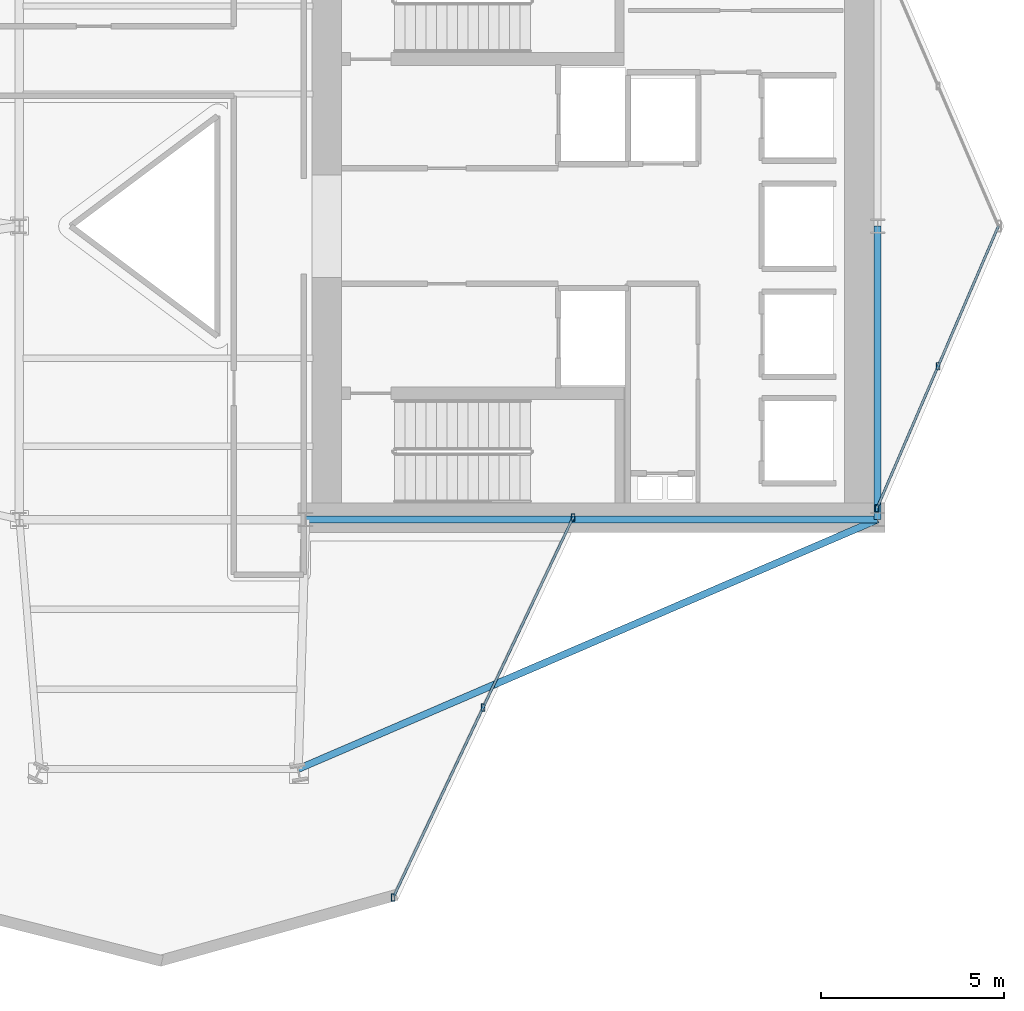
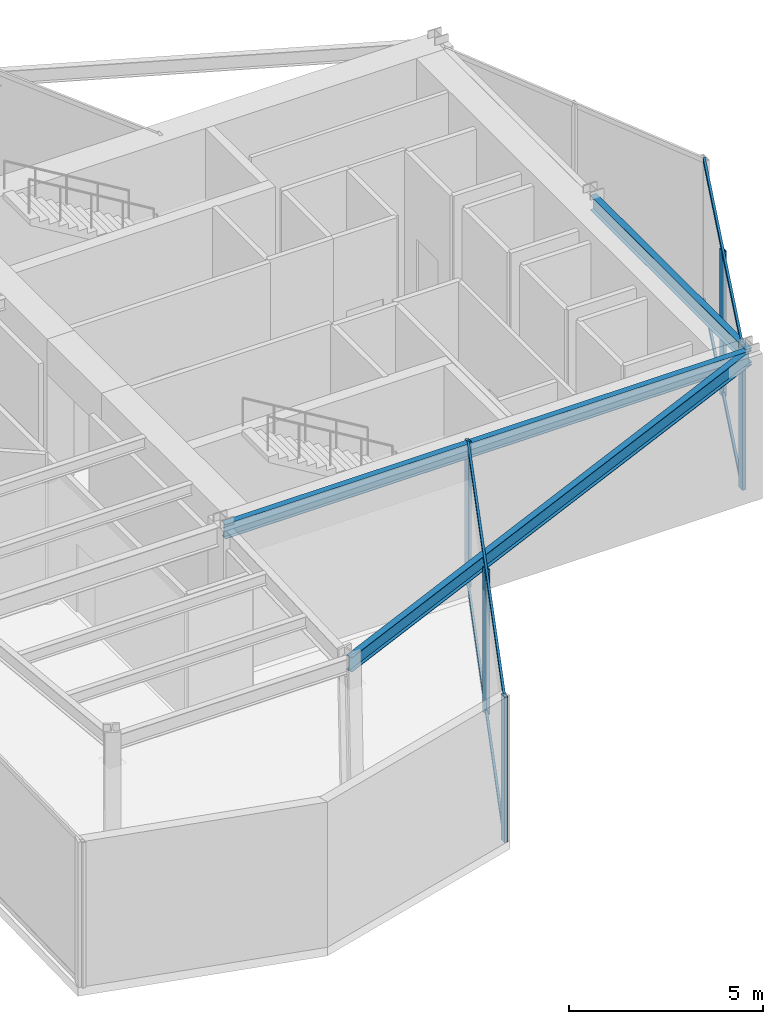
# One storey, part 6 of 13: 9 members, 3 beams, 2 elements without a shape of their own.
"""IFC4 building model written with IfcOpenShell, lengths in metres."""

from ifc_helpers import new_model, si_unit, direction, frame, origin, origin_2d, place, context, subcontext, project, spatial, hollow_rectangle, i_section, extrude, material, layer, layer_set, material_profile, profile_set, type_object, element, aggregate, save


model = new_model("IFC4")

# Units and contexts
model_context = context("Model", 3, precision=1e-05, world=origin(), true_north=direction((0.0, 1.0)))
body_context = subcontext(model_context, "Body", "Model", "MODEL_VIEW")
ifc_project = project(units=[si_unit("LENGTHUNIT", "METRE"), si_unit("AREAUNIT", "SQUARE_METRE"), si_unit("VOLUMEUNIT", "CUBIC_METRE"), si_unit("PLANEANGLEUNIT", "RADIAN"), si_unit("MASSUNIT", "GRAM", prefix="KILO")], contexts=[model_context])

# Site, building, storey
site_placement = place(None, origin())
site = spatial("IfcSite", under=ifc_project, at=site_placement, CompositionType="ELEMENT")
building_placement = place(site_placement, origin())
building = spatial("IfcBuilding", under=site, at=building_placement, Name="Veymaron Broadcast Tower", CompositionType="ELEMENT")
storey_placement = place(building_placement, frame((0.0, 0.0, 112.050048828125)))
storey = spatial("IfcBuildingStorey", under=building, at=storey_placement, Name="L25", CompositionType="ELEMENT", Elevation=112.050048828125)

# Beams
ifc_material_1 = material(Name="Structural steel ASTM A992 Gr 50", Category="steel")
ifc_material_profile_1 = material_profile(ifc_material_1, i_section(OverallWidth=0.19091796875, OverallDepth=0.4599609375, WebThickness=0.010009765625, FlangeThickness=0.01611328125, at=origin_2d()), Name="W460X82")
ifc_profile_set_1 = profile_set([ifc_material_profile_1], Name="Structural steel ASTM A992 Gr 50")
beam_type = type_object("IfcBeamType", Name="BM-SP1", PredefinedType="SPANDREL", material=ifc_profile_set_1)
beam_1_placement = place(storey_placement, frame((39.0, 16.0, 4.329833984375), z_axis=(1.0, 0.0, 0.0), x_axis=(0.0, 1.0, 0.0)))
element("IfcBeam", 1, at=beam_1_placement, inside=storey, type_object=beam_type, Name="L25 primary structural floor girder", PredefinedType="SPANDREL", context=body_context, shape_type="SweptSolid", body=[
    extrude(i_section(OverallWidth=0.19091796875, OverallDepth=0.4599609375, WebThickness=0.010009765625, FlangeThickness=0.01611328125, at=origin_2d()), origin(), (0.0, 0.0, 1.0), 15.60009765625),
])
beam_2_placement = place(storey_placement, frame((54.60009765625, 16.0, 4.329833984375), z_axis=(0.0, 1.0, 0.0), x_axis=(-1.0, 0.0, 0.0)))
element("IfcBeam", 2, at=beam_2_placement, inside=storey, type_object=beam_type, Name="L25 primary structural floor girder", PredefinedType="SPANDREL", context=body_context, shape_type="SweptSolid", body=[
    extrude(i_section(OverallWidth=0.19091796875, OverallDepth=0.4599609375, WebThickness=0.010009765625, FlangeThickness=0.01611328125, at=origin_2d()), origin(), (0.0, 0.0, 1.0), 8.0),
])
beam_3_placement = place(storey_placement, frame((54.60009765625, 16.0, 4.329833984375), z_axis=(-0.918541968862, -0.395323476964, 0.0), x_axis=(0.395323476964, -0.918541968862, 0.0)))
element("IfcBeam", 3, at=beam_3_placement, inside=storey, type_object=beam_type, Name="L25 primary structural floor girder", PredefinedType="SPANDREL", context=body_context, shape_type="SweptSolid", body=[
    extrude(i_section(OverallWidth=0.19091796875, OverallDepth=0.4599609375, WebThickness=0.010009765625, FlangeThickness=0.01611328125, at=origin_2d()), origin(), (0.0, 0.0, 1.0), 17.201171875),
])

# Curtain wall, members
ifc_material_2 = material(Name="Anodised aluminium AA 6063-T6 and laminated low-E dark glass", Category="aluminium")
ifc_layer = layer(ifc_material_2, 0.179931640625)
ifc_layer_set = layer_set([ifc_layer], Name="Anodised aluminium AA 6063-T6 and laminated low-E dark glass")
curtain_wall_type = type_object("IfcCurtainWallType", Name="CW-SYS-04", PredefinedType="NOTDEFINED", material=ifc_layer_set)
curtain_wall_1_placement = place(storey_placement, origin())
curtain_wall_1 = element("IfcCurtainWall", 4, at=curtain_wall_1_placement, inside=storey, type_object=curtain_wall_type, Name="L25 dark-glass curtain wall CW-L25-E2-1", PredefinedType="NOTDEFINED")
ifc_material_3 = material(Name="Anodised aluminium AA 6063-T6", Category="aluminium")
ifc_material_profile_2 = material_profile(ifc_material_3, hollow_rectangle(XDim=0.10009765625, YDim=0.199951171875, WallThickness=0.010009765625, at=origin_2d()), Name="RHS200X100X10")
ifc_profile_set_2 = profile_set([ifc_material_profile_2], Name="Anodised aluminium AA 6063-T6")
member_type_1 = type_object("IfcMemberType", Name="CW-MUL-01", PredefinedType="MULLION", material=ifc_profile_set_2)
member_1_placement = place(storey_placement, frame((54.579833984375, 16.307373046875, 0.0), z_axis=(0.0, 0.0, 1.0), x_axis=(1.0, 0.0, 0.0)))
member_1 = element("IfcMember", 5, at=member_1_placement, type_object=member_type_1, Name="CW-L25-E2-1 mullion 0", PredefinedType="MULLION", context=body_context, shape_type="SweptSolid", body=[
    extrude(hollow_rectangle(XDim=0.10009765625, YDim=0.199951171875, WallThickness=0.010009765625, at=origin_2d()), origin(), (0.0, 0.0, 1.0), 4.56005859375),
])
member_2_placement = place(storey_placement, frame((56.247802734375, 20.181396484375, 0.0), z_axis=(0.0, 0.0, 1.0), x_axis=(1.0, 0.0, 0.0)))
member_2 = element("IfcMember", 6, at=member_2_placement, type_object=member_type_1, Name="CW-L25-E2-1 mullion 1", PredefinedType="MULLION", context=body_context, shape_type="SweptSolid", body=[
    extrude(hollow_rectangle(XDim=0.10009765625, YDim=0.199951171875, WallThickness=0.010009765625, at=origin_2d()), origin(), (0.0, 0.0, 1.0), 4.56005859375),
])

curtain_wall_2_placement = place(storey_placement, origin())
curtain_wall_2 = element("IfcCurtainWall", 7, at=curtain_wall_2_placement, inside=storey, type_object=curtain_wall_type, Name="L25 dark-glass curtain wall CW-L25-E20-1", PredefinedType="NOTDEFINED")
member_3_placement = place(storey_placement, frame((41.389404296875, 5.69189453125, 0.0), z_axis=(0.0, 0.0, 1.0), x_axis=(1.0, 0.0, 0.0)))
member_3 = element("IfcMember", 8, at=member_3_placement, type_object=member_type_1, Name="CW-L25-E20-1 mullion 0", PredefinedType="MULLION", context=body_context, shape_type="SweptSolid", body=[
    extrude(hollow_rectangle(XDim=0.10009765625, YDim=0.199951171875, WallThickness=0.010009765625, at=origin_2d()), origin(), (0.0, 0.0, 1.0), 4.56005859375),
])
member_4_placement = place(storey_placement, frame((43.84228515625, 10.8759765625, 0.0), z_axis=(0.0, 0.0, 1.0), x_axis=(1.0, 0.0, 0.0)))
member_4 = element("IfcMember", 9, at=member_4_placement, type_object=member_type_1, Name="CW-L25-E20-1 mullion 1", PredefinedType="MULLION", context=body_context, shape_type="SweptSolid", body=[
    extrude(hollow_rectangle(XDim=0.10009765625, YDim=0.199951171875, WallThickness=0.010009765625, at=origin_2d()), origin(), (0.0, 0.0, 1.0), 4.56005859375),
])
member_5_placement = place(storey_placement, frame((46.294921875, 16.059814453125, 0.0), z_axis=(0.0, 0.0, 1.0), x_axis=(1.0, 0.0, 0.0)))
member_5 = element("IfcMember", 10, at=member_5_placement, type_object=member_type_1, Name="CW-L25-E20-1 mullion 2", PredefinedType="MULLION", context=body_context, shape_type="SweptSolid", body=[
    extrude(hollow_rectangle(XDim=0.10009765625, YDim=0.199951171875, WallThickness=0.010009765625, at=origin_2d()), origin(), (0.0, 0.0, 1.0), 4.56005859375),
])

# Member
ifc_material_profile_3 = material_profile(ifc_material_3, hollow_rectangle(XDim=0.06494140625, YDim=0.14990234375, WallThickness=0.00390625, at=origin_2d()), Name="AL150X65X4")
ifc_profile_set_3 = profile_set([ifc_material_profile_3], Name="Anodised aluminium AA 6063-T6")
member_type_2 = type_object("IfcMemberType", Name="CW-TRN-01", PredefinedType="USERDEFINED", material=ifc_profile_set_3)
member_6_placement = place(storey_placement, frame((54.599609375, 16.353271484375, 0.070068359375), z_axis=(0.395403441299, 0.918507549566, 0.0), x_axis=(-0.918507549566, 0.395403441299, 0.0)))
member_6 = element("IfcMember", 11, at=member_6_placement, type_object=member_type_2, Name="CW-L25-E2-1 transom B", ObjectType="TRANSOM", PredefinedType="USERDEFINED", context=body_context, shape_type="SweptSolid", body=[
    extrude(hollow_rectangle(XDim=0.06494140625, YDim=0.14990234375, WallThickness=0.00390625, at=origin_2d()), origin(), (0.0, 0.0, 1.0), 8.33544921875),
])

member_7_placement = place(storey_placement, frame((54.599609375, 16.353271484375, 4.489990234375), z_axis=(0.395403441299, 0.918507549566, 0.0), x_axis=(-0.918507549566, 0.395403441299, 0.0)))
member_7 = element("IfcMember", 12, at=member_7_placement, type_object=member_type_2, Name="CW-L25-E2-1 transom T", ObjectType="TRANSOM", PredefinedType="USERDEFINED", context=body_context, shape_type="SweptSolid", body=[
    extrude(hollow_rectangle(XDim=0.06494140625, YDim=0.14990234375, WallThickness=0.00390625, at=origin_2d()), origin(), (0.0, 0.0, 1.0), 8.33544921875),
])

aggregate(curtain_wall_1, [member_1, member_2, member_6, member_7])

member_8_placement = place(storey_placement, frame((41.410888671875, 5.737060546875, 0.070068359375), z_axis=(0.427670934755, 0.903934495174, 0.0), x_axis=(-0.903934495174, 0.427670934755, 0.0)))
member_8 = element("IfcMember", 13, at=member_8_placement, type_object=member_type_2, Name="CW-L25-E20-1 transom B", ObjectType="TRANSOM", PredefinedType="USERDEFINED", context=body_context, shape_type="SweptSolid", body=[
    extrude(hollow_rectangle(XDim=0.06494140625, YDim=0.14990234375, WallThickness=0.00390625, at=origin_2d()), origin(), (0.0, 0.0, 1.0), 11.369873046875),
])

member_9_placement = place(storey_placement, frame((41.410888671875, 5.737060546875, 4.489990234375), z_axis=(0.427670934755, 0.903934495174, 0.0), x_axis=(-0.903934495174, 0.427670934755, 0.0)))
member_9 = element("IfcMember", 14, at=member_9_placement, type_object=member_type_2, Name="CW-L25-E20-1 transom T", ObjectType="TRANSOM", PredefinedType="USERDEFINED", context=body_context, shape_type="SweptSolid", body=[
    extrude(hollow_rectangle(XDim=0.06494140625, YDim=0.14990234375, WallThickness=0.00390625, at=origin_2d()), origin(), (0.0, 0.0, 1.0), 11.369873046875),
])

aggregate(curtain_wall_2, [member_3, member_4, member_5, member_8, member_9])

save(model, "model.ifc")
